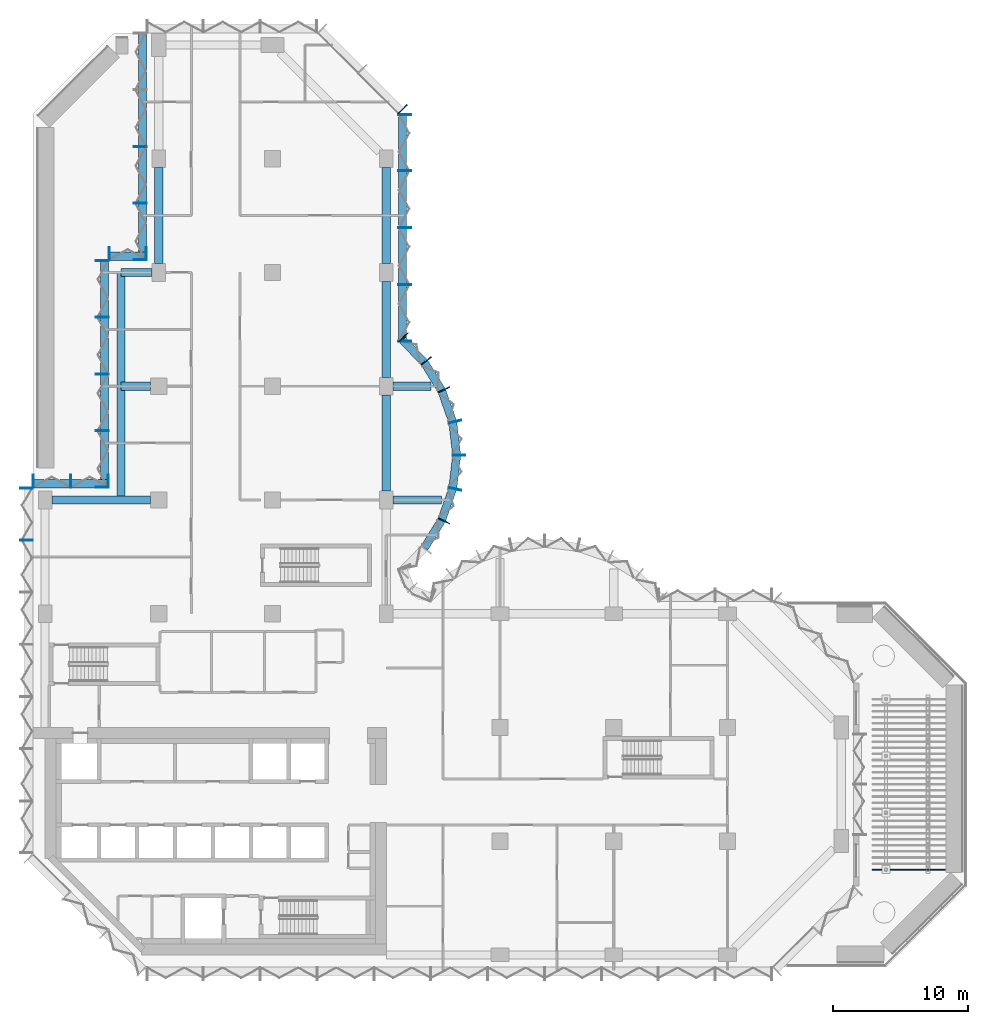
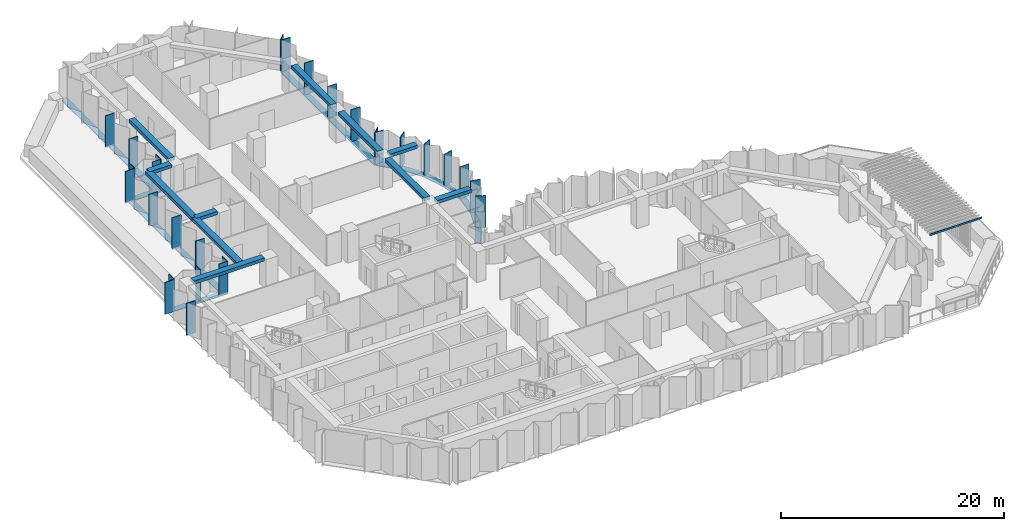
# One storey, part 5 of 18: 41 members, 11 beams, 8 elements without a shape of their own.
"""IFC4 building model written with IfcOpenShell, lengths in metres."""

from ifc_helpers import new_model, si_unit, direction, frame, origin, origin_2d, place, context, subcontext, project, spatial, rectangle, extrude, material, material_profile, profile_set, type_object, element, aggregate, save


model = new_model("IFC4")

# Units and contexts
model_context = context("Model", 3, precision=1e-05, world=origin(), true_north=direction((0.0, 1.0)))
body_context = subcontext(model_context, "Body", "Model", "MODEL_VIEW")
ifc_project = project(units=[si_unit("LENGTHUNIT", "METRE"), si_unit("AREAUNIT", "SQUARE_METRE"), si_unit("VOLUMEUNIT", "CUBIC_METRE"), si_unit("PLANEANGLEUNIT", "RADIAN"), si_unit("MASSUNIT", "GRAM", prefix="KILO")], contexts=[model_context])

# Site, building, storey
site_placement = place(None, origin())
site = spatial("IfcSite", under=ifc_project, at=site_placement, CompositionType="ELEMENT")
building_placement = place(site_placement, origin())
building = spatial("IfcBuilding", under=site, at=building_placement, Name="Brevane Broadcast Tower", CompositionType="ELEMENT")
storey_placement = place(building_placement, frame((0.0, 0.0, 134.89990234375)))
storey = spatial("IfcBuildingStorey", under=building, at=storey_placement, Name="L33", CompositionType="ELEMENT", Elevation=134.89990234375)

# Curtain wall, members
ifc_material_1 = material(Name="Aluminium 6063-T6 bronze anodised", Category="aluminium")
curtain_wall_type = type_object("IfcCurtainWallType", Name="CW-1 curtain wall", PredefinedType="NOTDEFINED", material=ifc_material_1)
curtain_wall_1_placement = place(storey_placement, origin())
curtain_wall_1 = element("IfcCurtainWall", 1, at=curtain_wall_1_placement, inside=storey, type_object=curtain_wall_type, Name="CW-1 typical tilted unit L33 north bow", PredefinedType="NOTDEFINED")
ifc_material_profile_1 = material_profile(ifc_material_1, rectangle(XDim=0.949951171875, YDim=0.070068359375, at=origin_2d()), Name="RECT 70x950")
ifc_profile_set_1 = profile_set([ifc_material_profile_1], Name="Aluminium 6063-T6 bronze anodised")
member_type_1 = type_object("IfcMemberType", Name="CW-1 mullion 70x950", PredefinedType="MULLION", material=ifc_profile_set_1)
member_1_placement = place(storey_placement, frame((29.4580078125, 32.05322265625, -0.14990234375), z_axis=(0.0, 0.0, 1.0), x_axis=(-0.902860508933, 0.429933601163, 0.0)))
member_1 = element("IfcMember", 2, at=member_1_placement, type_object=member_type_1, Name="CW-1 mullion", PredefinedType="MULLION", context=body_context, shape_type="SweptSolid", body=[
    extrude(rectangle(XDim=0.949951171875, YDim=0.070068359375, at=origin_2d()), origin(), (0.0, 0.0, 1.0), 3.5),
])
member_2_placement = place(storey_placement, frame((30.28076171875, 34.411865234375, -0.14990234375), z_axis=(0.0, 0.0, 1.0), x_axis=(-0.974403430594, 0.224806482215, 0.0)))
member_2 = element("IfcMember", 3, at=member_2_placement, type_object=member_type_1, Name="CW-1 mullion", PredefinedType="MULLION", context=body_context, shape_type="SweptSolid", body=[
    extrude(rectangle(XDim=0.949951171875, YDim=0.070068359375, at=origin_2d()), origin(), (0.0, 0.0, 1.0), 3.5),
])
member_3_placement = place(storey_placement, frame((30.574951171875, 36.89990234375, -0.14990234375), z_axis=(0.0, 0.0, 1.0), x_axis=(-1.0, 0.0, 0.0)))
member_3 = element("IfcMember", 4, at=member_3_placement, type_object=member_type_1, Name="CW-1 mullion", PredefinedType="MULLION", context=body_context, shape_type="SweptSolid", body=[
    extrude(rectangle(XDim=0.949951171875, YDim=0.070068359375, at=origin_2d()), origin(), (0.0, 0.0, 1.0), 3.5),
])
member_4_placement = place(storey_placement, frame((30.28076171875, 39.38818359375, -0.14990234375), z_axis=(0.0, 0.0, 1.0), x_axis=(-0.974403430594, -0.224806482215, 0.0)))
member_4 = element("IfcMember", 5, at=member_4_placement, type_object=member_type_1, Name="CW-1 mullion", PredefinedType="MULLION", context=body_context, shape_type="SweptSolid", body=[
    extrude(rectangle(XDim=0.949951171875, YDim=0.070068359375, at=origin_2d()), origin(), (0.0, 0.0, 1.0), 3.5),
])
member_5_placement = place(storey_placement, frame((29.4580078125, 41.746826171875, -0.14990234375), z_axis=(0.0, 0.0, 1.0), x_axis=(-0.902860508933, -0.429933601163, 0.0)))
member_5 = element("IfcMember", 6, at=member_5_placement, type_object=member_type_1, Name="CW-1 mullion", PredefinedType="MULLION", context=body_context, shape_type="SweptSolid", body=[
    extrude(rectangle(XDim=0.949951171875, YDim=0.070068359375, at=origin_2d()), origin(), (0.0, 0.0, 1.0), 3.5),
])
member_6_placement = place(storey_placement, frame((28.1455078125, 43.8720703125, -0.14990234375), z_axis=(0.0, 0.0, 1.0), x_axis=(-0.788706642853, -0.614769738617, 0.0)))
member_6 = element("IfcMember", 7, at=member_6_placement, type_object=member_type_1, Name="CW-1 mullion", PredefinedType="MULLION", context=body_context, shape_type="SweptSolid", body=[
    extrude(rectangle(XDim=0.949951171875, YDim=0.070068359375, at=origin_2d()), origin(), (0.0, 0.0, 1.0), 3.5),
])
member_7_placement = place(storey_placement, frame((26.465087890625, 45.60595703125, -0.14990234375), z_axis=(0.0, 0.0, 1.0), x_axis=(-0.717253872699, -0.696811941702, 0.0)))
member_7 = element("IfcMember", 8, at=member_7_placement, type_object=member_type_1, Name="CW-1 mullion", PredefinedType="MULLION", context=body_context, shape_type="SweptSolid", body=[
    extrude(rectangle(XDim=0.949951171875, YDim=0.070068359375, at=origin_2d()), origin(), (0.0, 0.0, 1.0), 3.5),
])

curtain_wall_2_placement = place(storey_placement, origin())
curtain_wall_2 = element("IfcCurtainWall", 9, at=curtain_wall_2_placement, inside=storey, type_object=curtain_wall_type, Name="CW-1 typical tilted unit L33 north arm east face", PredefinedType="NOTDEFINED")
member_8_placement = place(storey_placement, frame((26.574951171875, 45.3349609375, -0.14990234375), z_axis=(0.0, 0.0, 1.0), x_axis=(-1.0, 0.0, 0.0)))
member_8 = element("IfcMember", 10, at=member_8_placement, type_object=member_type_1, Name="CW-1 mullion", PredefinedType="MULLION", context=body_context, shape_type="SweptSolid", body=[
    extrude(rectangle(XDim=0.949951171875, YDim=0.070068359375, at=origin_2d()), origin(), (0.0, 0.0, 1.0), 3.5),
])
member_9_placement = place(storey_placement, frame((26.574951171875, 49.5, -0.14990234375), z_axis=(0.0, 0.0, 1.0), x_axis=(-1.0, 0.0, 0.0)))
member_9 = element("IfcMember", 11, at=member_9_placement, type_object=member_type_1, Name="CW-1 mullion", PredefinedType="MULLION", context=body_context, shape_type="SweptSolid", body=[
    extrude(rectangle(XDim=0.949951171875, YDim=0.070068359375, at=origin_2d()), origin(), (0.0, 0.0, 1.0), 3.5),
])
member_10_placement = place(storey_placement, frame((26.574951171875, 53.699951171875, -0.14990234375), z_axis=(0.0, 0.0, 1.0), x_axis=(-1.0, 0.0, 0.0)))
member_10 = element("IfcMember", 12, at=member_10_placement, type_object=member_type_1, Name="CW-1 mullion", PredefinedType="MULLION", context=body_context, shape_type="SweptSolid", body=[
    extrude(rectangle(XDim=0.949951171875, YDim=0.070068359375, at=origin_2d()), origin(), (0.0, 0.0, 1.0), 3.5),
])
member_11_placement = place(storey_placement, frame((26.574951171875, 57.89990234375, -0.14990234375), z_axis=(0.0, 0.0, 1.0), x_axis=(-1.0, 0.0, 0.0)))
member_11 = element("IfcMember", 13, at=member_11_placement, type_object=member_type_1, Name="CW-1 mullion", PredefinedType="MULLION", context=body_context, shape_type="SweptSolid", body=[
    extrude(rectangle(XDim=0.949951171875, YDim=0.070068359375, at=origin_2d()), origin(), (0.0, 0.0, 1.0), 3.5),
])
member_12_placement = place(storey_placement, frame((26.574951171875, 62.06494140625, -0.14990234375), z_axis=(0.0, 0.0, 1.0), x_axis=(-1.0, 0.0, 0.0)))
member_12 = element("IfcMember", 14, at=member_12_placement, type_object=member_type_1, Name="CW-1 mullion", PredefinedType="MULLION", context=body_context, shape_type="SweptSolid", body=[
    extrude(rectangle(XDim=0.949951171875, YDim=0.070068359375, at=origin_2d()), origin(), (0.0, 0.0, 1.0), 3.5),
])

# Curtain wall, member
curtain_wall_3_placement = place(storey_placement, origin())
curtain_wall_3 = element("IfcCurtainWall", 15, at=curtain_wall_3_placement, inside=storey, type_object=curtain_wall_type, Name="CW-1 typical tilted unit L33 north arm north-east chamfer", PredefinedType="NOTDEFINED")
member_13_placement = place(storey_placement, frame((26.4111328125, 62.460693359375, -0.14990234375), z_axis=(0.0, 0.0, 1.0), x_axis=(-0.707106781187, -0.707106781187, 0.0)))
member_13 = element("IfcMember", 16, at=member_13_placement, type_object=member_type_1, Name="CW-1 mullion", PredefinedType="MULLION", context=body_context, shape_type="SweptSolid", body=[
    extrude(rectangle(XDim=0.949951171875, YDim=0.070068359375, at=origin_2d()), origin(), (0.0, 0.0, 1.0), 3.5),
])
aggregate(curtain_wall_3, [member_13])

# Curtain wall, members
curtain_wall_4_placement = place(storey_placement, origin())
curtain_wall_4 = element("IfcCurtainWall", 17, at=curtain_wall_4_placement, inside=storey, type_object=curtain_wall_type, Name="CW-1 typical tilted unit L33 north wing west face above the set-back", PredefinedType="NOTDEFINED")
member_14_placement = place(storey_placement, frame((7.02490234375, 59.699951171875, -0.14990234375), z_axis=(0.0, 0.0, 1.0), x_axis=(1.0, 0.0, 0.0)))
member_14 = element("IfcMember", 18, at=member_14_placement, type_object=member_type_1, Name="CW-1 mullion", PredefinedType="MULLION", context=body_context, shape_type="SweptSolid", body=[
    extrude(rectangle(XDim=0.949951171875, YDim=0.070068359375, at=origin_2d()), origin(), (0.0, 0.0, 1.0), 3.5),
])
member_15_placement = place(storey_placement, frame((7.02490234375, 55.5, -0.14990234375), z_axis=(0.0, 0.0, 1.0), x_axis=(1.0, 0.0, 0.0)))
member_15 = element("IfcMember", 19, at=member_15_placement, type_object=member_type_1, Name="CW-1 mullion", PredefinedType="MULLION", context=body_context, shape_type="SweptSolid", body=[
    extrude(rectangle(XDim=0.949951171875, YDim=0.070068359375, at=origin_2d()), origin(), (0.0, 0.0, 1.0), 3.5),
])
member_16_placement = place(storey_placement, frame((7.02490234375, 51.3349609375, -0.14990234375), z_axis=(0.0, 0.0, 1.0), x_axis=(1.0, 0.0, 0.0)))
member_16 = element("IfcMember", 20, at=member_16_placement, type_object=member_type_1, Name="CW-1 mullion", PredefinedType="MULLION", context=body_context, shape_type="SweptSolid", body=[
    extrude(rectangle(XDim=0.949951171875, YDim=0.070068359375, at=origin_2d()), origin(), (0.0, 0.0, 1.0), 3.5),
])

curtain_wall_5_placement = place(storey_placement, origin())
curtain_wall_5 = element("IfcCurtainWall", 21, at=curtain_wall_5_placement, inside=storey, type_object=curtain_wall_type, Name="CW-1 typical tilted unit L33 north wing west return", PredefinedType="NOTDEFINED")
member_17_placement = place(storey_placement, frame((7.465087890625, 51.77490234375, -0.14990234375), z_axis=(0.0, 0.0, 1.0), x_axis=(0.0, -1.0, 0.0)))
member_17 = element("IfcMember", 22, at=member_17_placement, type_object=member_type_1, Name="CW-1 mullion", PredefinedType="MULLION", context=body_context, shape_type="SweptSolid", body=[
    extrude(rectangle(XDim=0.949951171875, YDim=0.070068359375, at=origin_2d()), origin(), (0.0, 0.0, 1.0), 3.5),
])
member_18_placement = place(storey_placement, frame((4.735107421875, 51.77490234375, -0.14990234375), z_axis=(0.0, 0.0, 1.0), x_axis=(0.0, -1.0, 0.0)))
member_18 = element("IfcMember", 23, at=member_18_placement, type_object=member_type_1, Name="CW-1 mullion", PredefinedType="MULLION", context=body_context, shape_type="SweptSolid", body=[
    extrude(rectangle(XDim=0.949951171875, YDim=0.070068359375, at=origin_2d()), origin(), (0.0, 0.0, 1.0), 3.5),
])

curtain_wall_6_placement = place(storey_placement, origin())
curtain_wall_6 = element("IfcCurtainWall", 24, at=curtain_wall_6_placement, inside=storey, type_object=curtain_wall_type, Name="CW-1 typical tilted unit L33 north wing west face, lower block", PredefinedType="NOTDEFINED")
member_19_placement = place(storey_placement, frame((4.22509765625, 51.264892578125, -0.14990234375), z_axis=(0.0, 0.0, 1.0), x_axis=(1.0, 0.0, 0.0)))
member_19 = element("IfcMember", 25, at=member_19_placement, type_object=member_type_1, Name="CW-1 mullion", PredefinedType="MULLION", context=body_context, shape_type="SweptSolid", body=[
    extrude(rectangle(XDim=0.949951171875, YDim=0.070068359375, at=origin_2d()), origin(), (0.0, 0.0, 1.0), 3.5),
])
member_20_placement = place(storey_placement, frame((4.22509765625, 47.10009765625, -0.14990234375), z_axis=(0.0, 0.0, 1.0), x_axis=(1.0, 0.0, 0.0)))
member_20 = element("IfcMember", 26, at=member_20_placement, type_object=member_type_1, Name="CW-1 mullion", PredefinedType="MULLION", context=body_context, shape_type="SweptSolid", body=[
    extrude(rectangle(XDim=0.949951171875, YDim=0.070068359375, at=origin_2d()), origin(), (0.0, 0.0, 1.0), 3.5),
])
member_21_placement = place(storey_placement, frame((4.22509765625, 42.89990234375, -0.14990234375), z_axis=(0.0, 0.0, 1.0), x_axis=(1.0, 0.0, 0.0)))
member_21 = element("IfcMember", 27, at=member_21_placement, type_object=member_type_1, Name="CW-1 mullion", PredefinedType="MULLION", context=body_context, shape_type="SweptSolid", body=[
    extrude(rectangle(XDim=0.949951171875, YDim=0.070068359375, at=origin_2d()), origin(), (0.0, 0.0, 1.0), 3.5),
])
member_22_placement = place(storey_placement, frame((4.22509765625, 38.699951171875, -0.14990234375), z_axis=(0.0, 0.0, 1.0), x_axis=(1.0, 0.0, 0.0)))
member_22 = element("IfcMember", 28, at=member_22_placement, type_object=member_type_1, Name="CW-1 mullion", PredefinedType="MULLION", context=body_context, shape_type="SweptSolid", body=[
    extrude(rectangle(XDim=0.949951171875, YDim=0.070068359375, at=origin_2d()), origin(), (0.0, 0.0, 1.0), 3.5),
])
member_23_placement = place(storey_placement, frame((4.22509765625, 34.534912109375, -0.14990234375), z_axis=(0.0, 0.0, 1.0), x_axis=(1.0, 0.0, 0.0)))
member_23 = element("IfcMember", 29, at=member_23_placement, type_object=member_type_1, Name="CW-1 mullion", PredefinedType="MULLION", context=body_context, shape_type="SweptSolid", body=[
    extrude(rectangle(XDim=0.949951171875, YDim=0.070068359375, at=origin_2d()), origin(), (0.0, 0.0, 1.0), 3.5),
])

curtain_wall_7_placement = place(storey_placement, origin())
curtain_wall_7 = element("IfcCurtainWall", 30, at=curtain_wall_7_placement, inside=storey, type_object=curtain_wall_type, Name="CW-1 typical tilted unit L33 north wing west return, lower block", PredefinedType="NOTDEFINED")
member_24_placement = place(storey_placement, frame((4.6650390625, 34.97509765625, -0.14990234375), z_axis=(0.0, 0.0, 1.0), x_axis=(0.0, -1.0, 0.0)))
member_24 = element("IfcMember", 31, at=member_24_placement, type_object=member_type_1, Name="CW-1 mullion", PredefinedType="MULLION", context=body_context, shape_type="SweptSolid", body=[
    extrude(rectangle(XDim=0.949951171875, YDim=0.070068359375, at=origin_2d()), origin(), (0.0, 0.0, 1.0), 3.5),
])
member_25_placement = place(storey_placement, frame((1.89990234375, 34.97509765625, -0.14990234375), z_axis=(0.0, 0.0, 1.0), x_axis=(0.0, -1.0, 0.0)))
member_25 = element("IfcMember", 32, at=member_25_placement, type_object=member_type_1, Name="CW-1 mullion", PredefinedType="MULLION", context=body_context, shape_type="SweptSolid", body=[
    extrude(rectangle(XDim=0.949951171875, YDim=0.070068359375, at=origin_2d()), origin(), (0.0, 0.0, 1.0), 3.5),
])
member_26_placement = place(storey_placement, frame((-0.864990234375, 34.97509765625, -0.14990234375), z_axis=(0.0, 0.0, 1.0), x_axis=(0.0, -1.0, 0.0)))
member_26 = element("IfcMember", 33, at=member_26_placement, type_object=member_type_1, Name="CW-1 mullion", PredefinedType="MULLION", context=body_context, shape_type="SweptSolid", body=[
    extrude(rectangle(XDim=0.949951171875, YDim=0.070068359375, at=origin_2d()), origin(), (0.0, 0.0, 1.0), 3.5),
])

curtain_wall_8_placement = place(storey_placement, origin())
curtain_wall_8 = element("IfcCurtainWall", 34, at=curtain_wall_8_placement, inside=storey, type_object=curtain_wall_type, Name="CW-1 typical tilted unit L33 west face", PredefinedType="NOTDEFINED")
member_27_placement = place(storey_placement, frame((-1.375, 34.465087890625, -0.14990234375), z_axis=(0.0, 0.0, 1.0), x_axis=(1.0, 0.0, 0.0)))
member_27 = element("IfcMember", 35, at=member_27_placement, type_object=member_type_1, Name="CW-1 mullion", PredefinedType="MULLION", context=body_context, shape_type="SweptSolid", body=[
    extrude(rectangle(XDim=0.949951171875, YDim=0.070068359375, at=origin_2d()), origin(), (0.0, 0.0, 1.0), 3.5),
])
member_28_placement = place(storey_placement, frame((-1.375, 30.642822265625, -0.14990234375), z_axis=(0.0, 0.0, 1.0), x_axis=(1.0, 0.0, 0.0)))
member_28 = element("IfcMember", 36, at=member_28_placement, type_object=member_type_1, Name="CW-1 mullion", PredefinedType="MULLION", context=body_context, shape_type="SweptSolid", body=[
    extrude(rectangle(XDim=0.949951171875, YDim=0.070068359375, at=origin_2d()), origin(), (0.0, 0.0, 1.0), 3.5),
])
aggregate(curtain_wall_8, [member_27, member_28])

# Member
ifc_material_profile_2 = material_profile(ifc_material_1, rectangle(XDim=0.60009765625, YDim=0.10009765625, at=origin_2d()), Name="RECT 100x600")
ifc_profile_set_2 = profile_set([ifc_material_profile_2], Name="Aluminium 6063-T6 bronze anodised")
member_type_2 = type_object("IfcMemberType", Name="CW-1 transom 100x600", PredefinedType="USERDEFINED", material=ifc_profile_set_2)
member_29_placement = place(storey_placement, frame((28.023193359375, 30.0576171875, -0.199951171875), z_axis=(0.525427766759, 0.850838211365, 0.0), x_axis=(-0.850838211365, 0.525427766759, 0.0)))
member_29 = element("IfcMember", 37, at=member_29_placement, type_object=member_type_2, Name="CW-1 transom", ObjectType="TRANSOM", PredefinedType="USERDEFINED", context=body_context, shape_type="SweptSolid", body=[
    extrude(rectangle(XDim=0.60009765625, YDim=0.10009765625, at=origin_2d()), origin(), (0.0, 0.0, 1.0), 2.394775390625),
])

member_30_placement = place(storey_placement, frame((29.314208984375, 32.163818359375, -0.199951171875), z_axis=(0.329378497041, 0.944197969542, 0.0), x_axis=(-0.944197969542, 0.329378497041, 0.0)))
member_30 = element("IfcMember", 38, at=member_30_placement, type_object=member_type_2, Name="CW-1 transom", ObjectType="TRANSOM", PredefinedType="USERDEFINED", context=body_context, shape_type="SweptSolid", body=[
    extrude(rectangle(XDim=0.60009765625, YDim=0.10009765625, at=origin_2d()), origin(), (0.0, 0.0, 1.0), 2.394775390625),
])

member_31_placement = place(storey_placement, frame((30.117431640625, 34.499755859375, -0.199951171875), z_axis=(0.117603307202, 0.993060653805, 0.0), x_axis=(-0.993060653805, 0.117603307202, 0.0)))
member_31 = element("IfcMember", 39, at=member_31_placement, type_object=member_type_2, Name="CW-1 transom", ObjectType="TRANSOM", PredefinedType="USERDEFINED", context=body_context, shape_type="SweptSolid", body=[
    extrude(rectangle(XDim=0.60009765625, YDim=0.10009765625, at=origin_2d()), origin(), (0.0, 0.0, 1.0), 2.397705078125),
])

member_32_placement = place(storey_placement, frame((30.3994140625, 36.9189453125, -0.199951171875), z_axis=(-0.117591417, 0.993062061831, 0.0), x_axis=(-0.993062061831, -0.117591417, 0.0)))
member_32 = element("IfcMember", 40, at=member_32_placement, type_object=member_type_2, Name="CW-1 transom", ObjectType="TRANSOM", PredefinedType="USERDEFINED", context=body_context, shape_type="SweptSolid", body=[
    extrude(rectangle(XDim=0.60009765625, YDim=0.10009765625, at=origin_2d()), origin(), (0.0, 0.0, 1.0), 2.39794921875),
])

member_33_placement = place(storey_placement, frame((30.10302734375, 39.375, -0.199951171875), z_axis=(-0.329378497041, 0.944197969542, 0.0), x_axis=(-0.944197969542, -0.329378497041, 0.0)))
member_33 = element("IfcMember", 41, at=member_33_placement, type_object=member_type_2, Name="CW-1 transom", ObjectType="TRANSOM", PredefinedType="USERDEFINED", context=body_context, shape_type="SweptSolid", body=[
    extrude(rectangle(XDim=0.60009765625, YDim=0.10009765625, at=origin_2d()), origin(), (0.0, 0.0, 1.0), 2.394775390625),
])

member_34_placement = place(storey_placement, frame((29.281494140625, 41.704833984375, -0.199951171875), z_axis=(-0.525473345162, 0.850810063131, 0.0), x_axis=(-0.850810063131, -0.525473345162, 0.0)))
member_34 = element("IfcMember", 42, at=member_34_placement, type_object=member_type_2, Name="CW-1 transom", ObjectType="TRANSOM", PredefinedType="USERDEFINED", context=body_context, shape_type="SweptSolid", body=[
    extrude(rectangle(XDim=0.60009765625, YDim=0.10009765625, at=origin_2d()), origin(), (0.0, 0.0, 1.0), 2.39453125),
])

member_35_placement = place(storey_placement, frame((27.974365234375, 43.800537109375, -0.199951171875), z_axis=(-0.696823999134, 0.71724215871, 0.0), x_axis=(-0.71724215871, -0.696823999134, 0.0)))
member_35 = element("IfcMember", 43, at=member_35_placement, type_object=member_type_2, Name="CW-1 transom", ObjectType="TRANSOM", PredefinedType="USERDEFINED", context=body_context, shape_type="SweptSolid", body=[
    extrude(rectangle(XDim=0.60009765625, YDim=0.10009765625, at=origin_2d()), origin(), (0.0, 0.0, 1.0), 2.247802734375),
])

aggregate(curtain_wall_1, [member_1, member_2, member_3, member_4, member_5, member_6, member_7, member_29, member_30, member_31, member_32, member_33, member_34, member_35])

member_36_placement = place(storey_placement, frame((26.39990234375, 45.300048828125, -0.199951171875), z_axis=(0.0, 1.0, 0.0), x_axis=(-1.0, 0.0, 0.0)))
member_36 = element("IfcMember", 44, at=member_36_placement, type_object=member_type_2, Name="CW-1 transom", ObjectType="TRANSOM", PredefinedType="USERDEFINED", context=body_context, shape_type="SweptSolid", body=[
    extrude(rectangle(XDim=0.60009765625, YDim=0.10009765625, at=origin_2d()), origin(), (0.0, 0.0, 1.0), 16.800048828125),
])

aggregate(curtain_wall_2, [member_8, member_9, member_10, member_11, member_12, member_36])

member_37_placement = place(storey_placement, frame((7.199951171875, 68.10009765625, -0.199951171875), z_axis=(0.0, -1.0, 0.0), x_axis=(1.0, 0.0, 0.0)))
member_37 = element("IfcMember", 45, at=member_37_placement, type_object=member_type_2, Name="CW-1 transom", ObjectType="TRANSOM", PredefinedType="USERDEFINED", context=body_context, shape_type="SweptSolid", body=[
    extrude(rectangle(XDim=0.60009765625, YDim=0.10009765625, at=origin_2d()), origin(), (0.0, 0.0, 1.0), 16.800048828125),
])

aggregate(curtain_wall_4, [member_14, member_15, member_16, member_37])

member_38_placement = place(storey_placement, frame((7.5, 51.60009765625, -0.199951171875), z_axis=(-1.0, 0.0, 0.0), x_axis=(0.0, -1.0, 0.0)))
member_38 = element("IfcMember", 46, at=member_38_placement, type_object=member_type_2, Name="CW-1 transom", ObjectType="TRANSOM", PredefinedType="USERDEFINED", context=body_context, shape_type="SweptSolid", body=[
    extrude(rectangle(XDim=0.60009765625, YDim=0.10009765625, at=origin_2d()), origin(), (0.0, 0.0, 1.0), 2.800048828125),
])

aggregate(curtain_wall_5, [member_17, member_18, member_38])

member_39_placement = place(storey_placement, frame((4.39990234375, 51.300048828125, -0.199951171875), z_axis=(0.0, -1.0, 0.0), x_axis=(1.0, 0.0, 0.0)))
member_39 = element("IfcMember", 47, at=member_39_placement, type_object=member_type_2, Name="CW-1 transom", ObjectType="TRANSOM", PredefinedType="USERDEFINED", context=body_context, shape_type="SweptSolid", body=[
    extrude(rectangle(XDim=0.60009765625, YDim=0.10009765625, at=origin_2d()), origin(), (0.0, 0.0, 1.0), 16.800048828125),
])

aggregate(curtain_wall_6, [member_19, member_20, member_21, member_22, member_23, member_39])

member_40_placement = place(storey_placement, frame((4.699951171875, 34.800048828125, -0.199951171875), z_axis=(-1.0, 0.0, 0.0), x_axis=(0.0, -1.0, 0.0)))
member_40 = element("IfcMember", 48, at=member_40_placement, type_object=member_type_2, Name="CW-1 transom", ObjectType="TRANSOM", PredefinedType="USERDEFINED", context=body_context, shape_type="SweptSolid", body=[
    extrude(rectangle(XDim=0.60009765625, YDim=0.10009765625, at=origin_2d()), origin(), (0.0, 0.0, 1.0), 5.599853515625),
])

aggregate(curtain_wall_7, [member_24, member_25, member_26, member_40])

# Beams
ifc_material_2 = material(Name="Concrete C40/50", Category="concrete")
ifc_material_profile_3 = material_profile(ifc_material_2, rectangle(XDim=0.60009765625, YDim=0.35009765625, at=origin_2d()), Name="RC 600x350")
ifc_profile_set_3 = profile_set([ifc_material_profile_3], Name="Concrete C40/50")
beam_type_1 = type_object("IfcBeamType", Name="RC BRACKET BEAM 600x350 C40/50", PredefinedType="BEAM", material=ifc_profile_set_3)
beam_1_placement = place(storey_placement, frame((25.699951171875, 33.60009765625, 3.175048828125), z_axis=(1.0, 0.0, 0.0), x_axis=(0.0, 1.0, 0.0)))
element("IfcBeam", 49, at=beam_1_placement, inside=storey, type_object=beam_type_1, Name="EB2 L33-1", PredefinedType="BEAM", context=body_context, shape_type="SweptSolid", body=[
    extrude(rectangle(XDim=0.60009765625, YDim=0.35009765625, at=origin_2d()), origin(), (0.0, 0.0, 1.0), 3.56201171875),
])
beam_2_placement = place(storey_placement, frame((25.699951171875, 42.0, 3.175048828125), z_axis=(1.0, 0.0, 0.0), x_axis=(0.0, 1.0, 0.0)))
element("IfcBeam", 50, at=beam_2_placement, inside=storey, type_object=beam_type_1, Name="EB2 L33-2", PredefinedType="BEAM", context=body_context, shape_type="SweptSolid", body=[
    extrude(rectangle(XDim=0.60009765625, YDim=0.35009765625, at=origin_2d()), origin(), (0.0, 0.0, 1.0), 2.8115234375),
])
beam_3_placement = place(storey_placement, frame((7.800048828125, 42.0, 3.175048828125), z_axis=(-1.0, 0.0, 0.0), x_axis=(0.0, -1.0, 0.0)))
element("IfcBeam", 51, at=beam_3_placement, inside=storey, type_object=beam_type_1, Name="EB2 L33-5", PredefinedType="BEAM", context=body_context, shape_type="SweptSolid", body=[
    extrude(rectangle(XDim=0.60009765625, YDim=0.35009765625, at=origin_2d()), origin(), (0.0, 0.0, 1.0), 2.199951171875),
])
ifc_material_profile_4 = material_profile(ifc_material_2, rectangle(XDim=0.60009765625, YDim=0.35009765625, at=origin_2d()), Name="RC 600x350")
ifc_profile_set_4 = profile_set([ifc_material_profile_4], Name="Concrete C40/50")
beam_type_2 = type_object("IfcBeamType", Name="RC SPANDREL BEAM 600x350 C40/50", PredefinedType="SPANDREL", material=ifc_profile_set_4)
for number, where, z_axis, x_axis, name in (
    (52, (25.199951171875, 34.25, 3.175048828125), (0.0, 1.0, 0.0), (-1.0, 0.0, 0.0), "EB1 L33-11"),
    (53, (25.199951171875, 42.64990234375, 3.175048828125), (0.0, 1.0, 0.0), (-1.0, 0.0, 0.0), "EB1 L33-12"),
):
    element("IfcBeam", number, at=place(storey_placement, frame(where, z_axis=z_axis, x_axis=x_axis)), inside=storey, type_object=beam_type_2, Name=name, PredefinedType="SPANDREL", context=body_context, shape_type="SweptSolid", body=[
        extrude(rectangle(XDim=0.60009765625, YDim=0.35009765625, at=origin_2d()), origin(), (0.0, 0.0, 1.0), 7.10009765625),
    ])
beam_4_placement = place(storey_placement, frame((25.199951171875, 51.050048828125, 3.175048828125), z_axis=(0.0, 1.0, 0.0), x_axis=(-1.0, 0.0, 0.0)))
element("IfcBeam", 54, at=beam_4_placement, inside=storey, type_object=beam_type_2, Name="EB1 L33-13", PredefinedType="SPANDREL", context=body_context, shape_type="SweptSolid", body=[
    extrude(rectangle(XDim=0.60009765625, YDim=0.35009765625, at=origin_2d()), origin(), (0.0, 0.0, 1.0), 7.099853515625),
])
beam_5_placement = place(storey_placement, frame((0.5, 33.60009765625, 3.175048828125), z_axis=(1.0, 0.0, 0.0), x_axis=(0.0, 1.0, 0.0)))
element("IfcBeam", 55, at=beam_5_placement, inside=storey, type_object=beam_type_2, Name="EB1 L33-18", PredefinedType="SPANDREL", context=body_context, shape_type="SweptSolid", body=[
    extrude(rectangle(XDim=0.60009765625, YDim=0.35009765625, at=origin_2d()), origin(), (0.0, 0.0, 1.0), 7.300048828125),
])
for number, where, z_axis, x_axis, name in (
    (56, (5.60009765625, 33.60009765625, 3.175048828125), (0.0, 1.0, 0.0), (-1.0, 0.0, 0.0), "EB1 L33-19"),
    (57, (5.60009765625, 42.0, 3.175048828125), (0.0, 1.0, 0.0), (-1.0, 0.0, 0.0), "EB1 L33-20"),
):
    element("IfcBeam", number, at=place(storey_placement, frame(where, z_axis=z_axis, x_axis=x_axis)), inside=storey, type_object=beam_type_2, Name=name, PredefinedType="SPANDREL", context=body_context, shape_type="SweptSolid", body=[
        extrude(rectangle(XDim=0.60009765625, YDim=0.35009765625, at=origin_2d()), origin(), (0.0, 0.0, 1.0), 8.39990234375),
    ])
beam_6_placement = place(storey_placement, frame((5.60009765625, 50.39990234375, 3.175048828125), z_axis=(1.0, 0.0, 0.0), x_axis=(0.0, 1.0, 0.0)))
element("IfcBeam", 58, at=beam_6_placement, inside=storey, type_object=beam_type_2, Name="EB1 L33-21", PredefinedType="SPANDREL", context=body_context, shape_type="SweptSolid", body=[
    extrude(rectangle(XDim=0.60009765625, YDim=0.35009765625, at=origin_2d()), origin(), (0.0, 0.0, 1.0), 2.2998046875),
])
beam_7_placement = place(storey_placement, frame((8.39990234375, 51.050048828125, 3.175048828125), z_axis=(0.0, 1.0, 0.0), x_axis=(-1.0, 0.0, 0.0)))
element("IfcBeam", 59, at=beam_7_placement, inside=storey, type_object=beam_type_2, Name="EB1 L33-22", PredefinedType="SPANDREL", context=body_context, shape_type="SweptSolid", body=[
    extrude(rectangle(XDim=0.60009765625, YDim=0.35009765625, at=origin_2d()), origin(), (0.0, 0.0, 1.0), 7.099853515625),
])

# Member
ifc_material_3 = material(Name="Glulam GL28h", Category="wood")
ifc_material_profile_5 = material_profile(ifc_material_3, rectangle(XDim=0.080078125, YDim=0.179931640625, at=origin_2d()), Name="RECT 80x180")
ifc_profile_set_5 = profile_set([ifc_material_profile_5], Name="Glulam GL28h")
member_type_3 = type_object("IfcMemberType", Name="Sky garden trellis rafter glulam 80x180 GL28h", PredefinedType="USERDEFINED", material=ifc_profile_set_5)
member_41_placement = place(storey_placement, frame((61.10009765625, 6.300048828125, 3.590087890625), z_axis=(1.0, 0.0, 0.0), x_axis=(0.0, 1.0, 0.0)))
element("IfcMember", 60, at=member_41_placement, inside=storey, type_object=member_type_3, Name="Sky garden trellis rafter L33-1", ObjectType="TRELLIS RAFTER", PredefinedType="USERDEFINED", context=body_context, shape_type="SweptSolid", body=[
    extrude(rectangle(XDim=0.080078125, YDim=0.179931640625, at=origin_2d()), origin(), (0.0, 0.0, 1.0), 5.39990234375),
])

save(model, "model.ifc")
